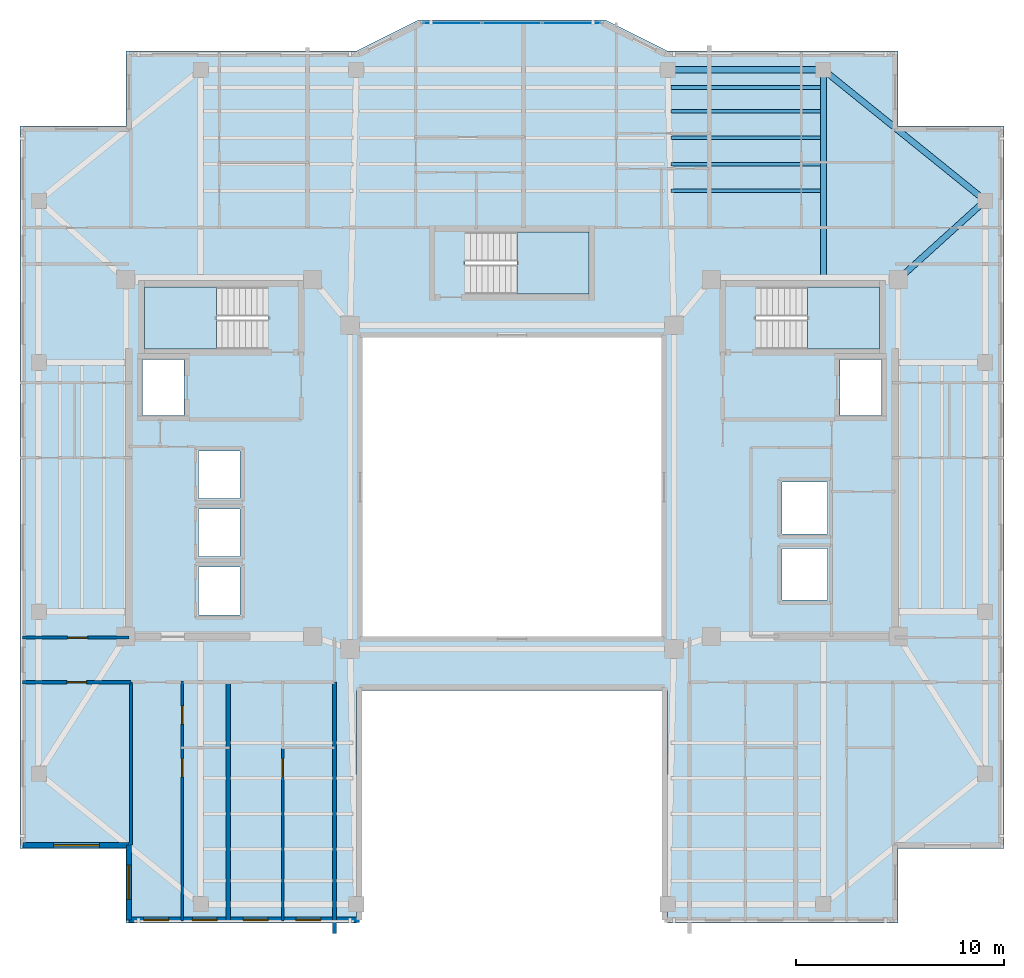
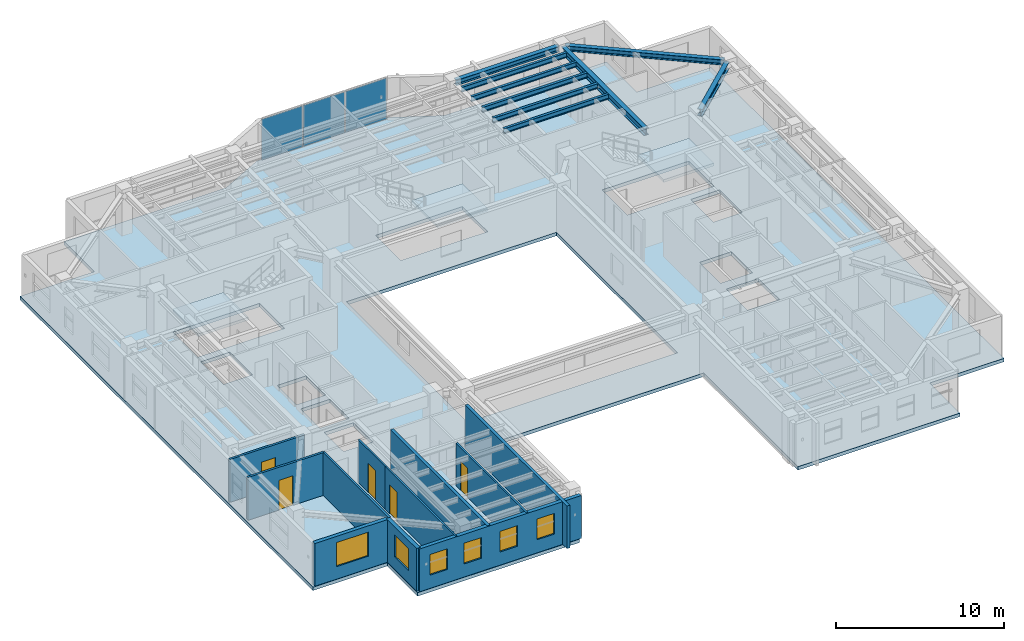
# One storey, part 3 of 12: 11 walls, 9 beams, 6 windows, 5 doors, 4 slabs, 3 plates, 11 openings, 4 elements without a shape of their own.
"""IFC4 building model written with IfcOpenShell, lengths in metres."""

from ifc_helpers import new_model, si_unit, direction, frame, frame_2d, origin, origin_2d, place, context, subcontext, project, spatial, polyline, rectangle, i_section, outline, extrude, material, layer, layer_set, material_profile, profile_set, type_object, element, fill, aggregate, save


model = new_model("IFC4")

# Units and contexts
model_context = context("Model", 3, precision=1e-05, world=origin(), true_north=direction((0.0, 1.0)))
body_context = subcontext(model_context, "Body", "Model", "MODEL_VIEW")
ifc_project = project(units=[si_unit("LENGTHUNIT", "METRE"), si_unit("AREAUNIT", "SQUARE_METRE"), si_unit("VOLUMEUNIT", "CUBIC_METRE"), si_unit("PLANEANGLEUNIT", "RADIAN"), si_unit("MASSUNIT", "GRAM", prefix="KILO")], contexts=[model_context])

# Site, building, storey
site_placement = place(None, origin())
site = spatial("IfcSite", under=ifc_project, at=site_placement, CompositionType="ELEMENT")
building_placement = place(site_placement, origin())
building = spatial("IfcBuilding", under=site, at=building_placement, Name="Tarnavaz Court Tower", CompositionType="ELEMENT")
storey_placement = place(building_placement, frame((0.0, 0.0, 210.35009765625)))
storey = spatial("IfcBuildingStorey", under=building, at=storey_placement, Name="L57", CompositionType="ELEMENT", Elevation=210.35009765625)

# Beams
ifc_material_1 = material(Name="Steel S355", Category="steel")
ifc_material_profile_1 = material_profile(ifc_material_1, i_section(OverallWidth=0.300048828125, OverallDepth=0.5, WebThickness=0.014404296875, FlangeThickness=0.028076171875, FilletRadius=0.027099609375, at=origin_2d()), Name="HEB 500")
ifc_profile_set_1 = profile_set([ifc_material_profile_1], Name="Steel S355")
beam_type_1 = type_object("IfcBeamType", Name="BM-G-HEB500", PredefinedType="USERDEFINED", material=ifc_profile_set_1)
beam_1_placement = place(storey_placement, frame((15.0, 10.0400390625, 2.849853515625), z_axis=(0.0, 1.0, 0.0), x_axis=(-1.0, 0.0, 0.0)))
element("IfcBeam", 1, at=beam_1_placement, inside=storey, type_object=beam_type_1, Name="L57 Beam RG-04", ObjectType="GIRDER", PredefinedType="USERDEFINED", context=body_context, shape_type="SweptSolid", body=[
    extrude(i_section(OverallWidth=0.300048828125, OverallDepth=0.5, WebThickness=0.014404296875, FlangeThickness=0.028076171875, FilletRadius=0.027099609375, at=origin_2d()), origin(), (0.0, 0.0, 1.0), 9.83984375),
])
beam_2_placement = place(storey_placement, frame((18.76318359375, 10.147705078125, 2.849853515625), z_axis=(0.741555708494, 0.670891296113, 0.0), x_axis=(-0.670891296113, 0.741555708494, 0.0)))
element("IfcBeam", 2, at=beam_2_placement, inside=storey, type_object=beam_type_1, Name="L57 Beam RG-12", ObjectType="GIRDER", PredefinedType="USERDEFINED", context=body_context, shape_type="SweptSolid", body=[
    extrude(i_section(OverallWidth=0.300048828125, OverallDepth=0.5, WebThickness=0.014404296875, FlangeThickness=0.028076171875, FilletRadius=0.027099609375, at=origin_2d()), origin(), (0.0, 0.0, 1.0), 5.223876953125),
])
ifc_material_profile_2 = material_profile(ifc_material_1, i_section(OverallWidth=0.169921875, OverallDepth=0.360107421875, WebThickness=0.008056640625, FlangeThickness=0.0126953125, FilletRadius=0.01806640625, at=origin_2d()), Name="IPE 360")
ifc_profile_set_2 = profile_set([ifc_material_profile_2], Name="Steel S355")
beam_type_2 = type_object("IfcBeamType", Name="BM-J-IPE360", PredefinedType="JOIST", material=ifc_profile_set_2)
for number, where, z_axis, x_axis, name in (
    (3, (7.64990234375, 14.278076171875, 2.919921875), (1.0, 0.0, 0.0), (0.0, 1.0, 0.0), "L57 Beam JN1-3"),
    (4, (7.64990234375, 15.555908203125, 2.919921875), (1.0, 0.0, 0.0), (0.0, 1.0, 0.0), "L57 Beam JN2-3"),
    (5, (7.64990234375, 16.833984375, 2.919921875), (1.0, 0.0, 0.0), (0.0, 1.0, 0.0), "L57 Beam JN3-3"),
    (6, (7.64990234375, 18.112060546875, 2.919921875), (1.0, 0.0, 0.0), (0.0, 1.0, 0.0), "L57 Beam JN4-3"),
    (7, (7.64990234375, 19.248046875, 2.919921875), (1.0, 0.0, 0.0), (0.0, 1.0, 0.0), "L57 Beam JN5-3"),
):
    element("IfcBeam", number, at=place(storey_placement, frame(where, z_axis=z_axis, x_axis=x_axis)), inside=storey, type_object=beam_type_2, Name=name, PredefinedType="JOIST", context=body_context, shape_type="SweptSolid", body=[
        extrude(i_section(OverallWidth=0.169921875, OverallDepth=0.360107421875, WebThickness=0.008056640625, FlangeThickness=0.0126953125, FilletRadius=0.01806640625, at=origin_2d()), origin(), (0.0, 0.0, 1.0), 7.2001953125),
    ])
ifc_material_profile_3 = material_profile(ifc_material_1, i_section(OverallWidth=0.300048828125, OverallDepth=0.389892578125, WebThickness=0.010986328125, FlangeThickness=0.01904296875, FilletRadius=0.027099609375, at=origin_2d()), Name="HEA 400")
ifc_profile_set_3 = profile_set([ifc_material_profile_3], Name="Steel S355")
beam_type_3 = type_object("IfcBeamType", Name="BM-SP-HEA400", PredefinedType="BEAM", material=ifc_profile_set_3)
beam_3_placement = place(storey_placement, frame((7.719970703125, 20.10009765625, 2.90478515625), z_axis=(1.0, 0.0, 0.0), x_axis=(0.0, 1.0, 0.0)))
element("IfcBeam", 8, at=beam_3_placement, inside=storey, type_object=beam_type_3, Name="L57 Beam PR-PN-3-PN-4", PredefinedType="BEAM", context=body_context, shape_type="SweptSolid", body=[
    extrude(i_section(OverallWidth=0.300048828125, OverallDepth=0.389892578125, WebThickness=0.010986328125, FlangeThickness=0.01904296875, FilletRadius=0.027099609375, at=origin_2d()), origin(), (0.0, 0.0, 1.0), 7.06005859375),
])
beam_4_placement = place(storey_placement, frame((15.171142578125, 19.9619140625, 2.90478515625), z_axis=(0.777935913531, -0.628343627674, 0.0), x_axis=(0.628343627674, 0.777935913531, 0.0)))
element("IfcBeam", 9, at=beam_4_placement, inside=storey, type_object=beam_type_3, Name="L57 Beam PR-PN-4-PE-4", PredefinedType="BEAM", context=body_context, shape_type="SweptSolid", body=[
    extrude(i_section(OverallWidth=0.300048828125, OverallDepth=0.389892578125, WebThickness=0.010986328125, FlangeThickness=0.01904296875, FilletRadius=0.027099609375, at=origin_2d()), origin(), (0.0, 0.0, 1.0), 9.586669921875),
])

# Curtain wall, plates
ifc_material_2 = material(Name="Anodised Aluminium 6063-T6 and Solar Low-E Glazing", Category="aluminium")
ifc_layer_1 = layer(ifc_material_2, 0.159912109375)
ifc_layer_set_1 = layer_set([ifc_layer_1], Name="Anodised Aluminium 6063-T6 and Solar Low-E Glazing")
curtain_wall_type = type_object("IfcCurtainWallType", Name="CW-SYS-03", PredefinedType="NOTDEFINED", material=ifc_layer_set_1)
curtain_wall_placement = place(storey_placement, origin())
curtain_wall = element("IfcCurtainWall", 10, at=curtain_wall_placement, inside=storey, type_object=curtain_wall_type, Name="L57 Iwan Prow Curtain Wall 7", PredefinedType="NOTDEFINED")
ifc_material_3 = material(Name="Double-Glazed Solar Low-E Glass", Category="glass")
ifc_layer_2 = layer(ifc_material_3, 0.028076171875)
ifc_layer_set_2 = layer_set([ifc_layer_2], Name="Double-Glazed Solar Low-E Glass")
plate_type = type_object("IfcPlateType", Name="CW-PAN-GLZ28", PredefinedType="CURTAIN_PANEL", material=ifc_layer_set_2)
plate_1_placement = place(storey_placement, frame((-2.88134765625, 22.35009765625, 0.06494140625), z_axis=(0.0, 0.0, 1.0), x_axis=(1.0, 0.0, 0.0)))
plate_1 = element("IfcPlate", 11, at=plate_1_placement, type_object=plate_type, Name="CW panel 1.1", PredefinedType="CURTAIN_PANEL", context=body_context, shape_type="SweptSolid", body=[
    extrude(rectangle(XDim=2.78759765625, YDim=0.028076171875, at=origin_2d()), origin(), (0.0, 0.0, 1.0), 2.969970703125),
])
plate_2_placement = place(storey_placement, frame((0.0, 22.35009765625, 0.06494140625), z_axis=(0.0, 0.0, 1.0), x_axis=(1.0, 0.0, 0.0)))
plate_2 = element("IfcPlate", 12, at=plate_2_placement, type_object=plate_type, Name="CW panel 2.1", PredefinedType="CURTAIN_PANEL", context=body_context, shape_type="SweptSolid", body=[
    extrude(rectangle(XDim=2.824951171875, YDim=0.028076171875, at=origin_2d()), origin(), (0.0, 0.0, 1.0), 2.969970703125),
])
plate_3_placement = place(storey_placement, frame((2.88134765625, 22.35009765625, 0.06494140625), z_axis=(0.0, 0.0, 1.0), x_axis=(1.0, 0.0, 0.0)))
plate_3 = element("IfcPlate", 13, at=plate_3_placement, type_object=plate_type, Name="CW panel 3.1", PredefinedType="CURTAIN_PANEL", context=body_context, shape_type="SweptSolid", body=[
    extrude(rectangle(XDim=2.78759765625, YDim=0.028076171875, at=origin_2d()), origin(), (0.0, 0.0, 1.0), 2.969970703125),
])
aggregate(curtain_wall, [plate_1, plate_2, plate_3])

# Stair, slab
ifc_material_4 = material(Name="Concrete C40/50", Category="concrete")
stair_type = type_object("IfcStairType", Name="ST-TWR-20R", PredefinedType="HALF_TURN_STAIR", material=ifc_material_4)
stair_1_placement = place(storey_placement, origin())
stair_1 = element("IfcStair", 14, at=stair_1_placement, inside=storey, type_object=stair_type, Name="L57 West Core Pressurized Exit Stair ST-W1", PredefinedType="HALF_TURN_STAIR")
ifc_layer_3 = layer(ifc_material_4, 0.199951171875)
ifc_layer_set_3 = layer_set([ifc_layer_3], Name="Concrete C40/50")
slab_type_1 = type_object("IfcSlabType", Name="SL-LAND-200", PredefinedType="LANDING", material=ifc_layer_set_3)
slab_1_placement = place(storey_placement, frame((0.0, 0.0, 1.474853515625)))
slab_1 = element("IfcSlab", 15, at=slab_1_placement, type_object=slab_type_1, Name="ST-W1 landing 1", PredefinedType="LANDING", context=body_context, shape_type="SweptSolid", body=[
    extrude(outline(polyline([(-14.239990234375, 9.639892578125), (-17.699951171875, 9.639892578125), (-17.699951171875, 6.64990234375), (-14.239990234375, 6.64990234375), (-14.239990234375, 9.639892578125)])), origin(), (0.0, 0.0, 1.0), 0.199951171875),
])
aggregate(stair_1, [slab_1])

stair_2_placement = place(storey_placement, origin())
stair_2 = element("IfcStair", 16, at=stair_2_placement, inside=storey, type_object=stair_type, Name="L57 East Core Pressurized Exit Stair ST-E1", PredefinedType="HALF_TURN_STAIR")
slab_2_placement = place(storey_placement, frame((0.0, 0.0, 1.474853515625)))
slab_2 = element("IfcSlab", 17, at=slab_2_placement, type_object=slab_type_1, Name="ST-E1 landing 1", PredefinedType="LANDING", context=body_context, shape_type="SweptSolid", body=[
    extrude(outline(polyline([(14.239990234375, 6.64990234375), (17.699951171875, 6.64990234375), (17.699951171875, 9.639892578125), (14.239990234375, 9.639892578125), (14.239990234375, 6.64990234375)])), origin(), (0.0, 0.0, 1.0), 0.199951171875),
])
aggregate(stair_2, [slab_2])

stair_3_placement = place(storey_placement, origin())
stair_3 = element("IfcStair", 18, at=stair_3_placement, inside=storey, type_object=stair_type, Name="L57 North Ring Pressurized Exit Stair ST-N1", PredefinedType="HALF_TURN_STAIR")
slab_3_placement = place(storey_placement, frame((0.0, 0.0, 1.474853515625)))
slab_3 = element("IfcSlab", 19, at=slab_3_placement, type_object=slab_type_1, Name="ST-N1 landing 1", PredefinedType="LANDING", context=body_context, shape_type="SweptSolid", body=[
    extrude(outline(polyline([(0.239990234375, 9.300048828125), (3.699951171875, 9.300048828125), (3.699951171875, 12.2900390625), (0.239990234375, 12.2900390625), (0.239990234375, 9.300048828125)])), origin(), (0.0, 0.0, 1.0), 0.199951171875),
])
aggregate(stair_3, [slab_3])

# Slab
ifc_layer_4 = layer(ifc_material_4, 0.25)
ifc_layer_set_4 = layer_set([ifc_layer_4], Name="Concrete C40/50")
slab_type_2 = type_object("IfcSlabType", Name="SL-RES-250", PredefinedType="FLOOR", material=ifc_layer_set_4)
slab_4_placement = place(storey_placement, frame((0.0, 0.0, -0.25)))
element("IfcSlab", 20, at=slab_4_placement, inside=storey, type_object=slab_type_2, Name="L57 Structural Floor Slab", PredefinedType="FLOOR", context=body_context, shape_type="SweptSolid", body=[
    extrude(outline(polyline([(-18.60009765625, -21.0), (-7.5, -21.0), (-7.5, -9.800048828125), (7.5, -9.800048828125), (7.5, -21.0), (18.60009765625, -21.0), (18.60009765625, -17.39990234375), (23.699951171875, -17.39990234375), (23.699951171875, 17.39990234375), (18.60009765625, 17.39990234375), (18.60009765625, 21.0), (7.5, 21.0), (4.5, 22.5), (-4.5, 22.5), (-7.5, 21.0), (-18.60009765625, 21.0), (-18.60009765625, 17.39990234375), (-23.699951171875, 17.39990234375), (-23.699951171875, -17.39990234375), (-18.60009765625, -17.39990234375), (-18.60009765625, -21.0)]), holes=[polyline([(-7.199951171875, -7.199951171875), (7.199951171875, -7.199951171875), (7.199951171875, 7.199951171875), (-7.199951171875, 7.199951171875), (-7.199951171875, -7.199951171875)]), polyline([(-11.7451171875, 9.639892578125), (-17.699951171875, 9.639892578125), (-17.699951171875, 6.64990234375), (-11.7451171875, 6.64990234375), (-11.7451171875, 9.639892578125)]), polyline([(11.7451171875, 6.64990234375), (17.699951171875, 6.64990234375), (17.699951171875, 9.639892578125), (11.7451171875, 9.639892578125), (11.7451171875, 6.64990234375)]), polyline([(-2.2548828125, 9.300048828125), (3.699951171875, 9.300048828125), (3.699951171875, 12.2900390625), (-2.2548828125, 12.2900390625), (-2.2548828125, 9.300048828125)]), polyline([(-17.800048828125, 3.449951171875), (-15.800048828125, 3.449951171875), (-15.800048828125, 6.14990234375), (-17.800048828125, 6.14990234375), (-17.800048828125, 3.449951171875)]), polyline([(-15.10009765625, -6.14990234375), (-13.10009765625, -6.14990234375), (-13.10009765625, -3.85009765625), (-15.10009765625, -3.85009765625), (-15.10009765625, -6.14990234375)]), polyline([(-15.10009765625, -3.35009765625), (-13.10009765625, -3.35009765625), (-13.10009765625, -1.050048828125), (-15.10009765625, -1.050048828125), (-15.10009765625, -3.35009765625)]), polyline([(-15.10009765625, -0.550048828125), (-13.10009765625, -0.550048828125), (-13.10009765625, 1.75), (-15.10009765625, 1.75), (-15.10009765625, -0.550048828125)]), polyline([(15.800048828125, 3.449951171875), (17.800048828125, 3.449951171875), (17.800048828125, 6.14990234375), (15.800048828125, 6.14990234375), (15.800048828125, 3.449951171875)]), polyline([(13.0, -5.449951171875), (15.199951171875, -5.449951171875), (15.199951171875, -2.949951171875), (13.0, -2.949951171875), (13.0, -5.449951171875)]), polyline([(13.0, -2.25), (15.199951171875, -2.25), (15.199951171875, 0.25), (13.0, 0.25), (13.0, -2.25)])]), origin(), (0.0, 0.0, 1.0), 0.25),
])

# Wall, opening, window
ifc_material_5 = material(Name="Precast Concrete C40/50", Category="concrete")
ifc_layer_5 = layer(ifc_material_5, 0.260009765625)
ifc_layer_set_5 = layer_set([ifc_layer_5], Name="Precast Concrete C40/50")
wall_type_1 = type_object("IfcWallType", Name="WL-EXT-260", PredefinedType="SOLIDWALL", material=ifc_layer_set_5)
wall_1_placement = place(storey_placement, frame((-18.449951171875, -17.25, 0.0), z_axis=(0.0, 0.0, 1.0), x_axis=(-1.0, 0.0, 0.0)))
wall_1 = element("IfcWall", 21, at=wall_1_placement, inside=storey, type_object=wall_type_1, Name="L57 Exterior Terracotta Facade Wall 01", PredefinedType="SOLIDWALL", context=body_context, shape_type="SweptSolid", body=[
    extrude(rectangle(XDim=5.10009765625, YDim=0.260009765625, at=frame_2d((2.550048828125, 0.0))), origin(), (0.0, 0.0, 1.0), 3.099853515625),
])
opening_1_placement = place(wall_1_placement, frame((1.425048828125, 0.0, 0.89990234375)))
opening_1 = element("IfcOpeningElement", 22, at=opening_1_placement, cuts=wall_1, Name="Opening W07", PredefinedType="OPENING", context=body_context, shape_type="SweptSolid", body=[
    extrude(rectangle(XDim=2.199951171875, YDim=1.75, at=frame_2d((1.10009765625, 0.875))), frame((0.0, 0.139892578125, 0.0), z_axis=(0.0, -1.0, 0.0), x_axis=(1.0, 0.0, 0.0)), (0.0, 0.0, 1.0), 0.280029296875),
])
window_type_1 = type_object("IfcWindowType", Name="WN-APT-2200", PartitioningType="TRIPLE_PANEL_VERTICAL", PredefinedType="WINDOW", material=ifc_material_3)
window_1_placement = place(opening_1_placement, origin())
window_1 = element("IfcWindow", 23, at=window_1_placement, inside=storey, type_object=window_type_1, Name="L57 South-West Corner Reading Room Window", OverallHeight=1.75, OverallWidth=2.199951171875, PartitioningType="SINGLE_PANEL", PredefinedType="WINDOW", context=body_context, shape_type="SweptSolid", body=[
    extrude(rectangle(XDim=2.199951171875, YDim=1.75, at=frame_2d((1.10009765625, 0.875))), frame((0.0, 0.030029296875, 0.0), z_axis=(0.0, -1.0, 0.0), x_axis=(1.0, 0.0, 0.0)), (0.0, 0.0, 1.0), 0.06005859375),
])
fill(opening_1, window_1)

# Wall, openings, windows
wall_2_placement = place(storey_placement, frame((-7.35009765625, -20.85009765625, 0.0), z_axis=(0.0, 0.0, 1.0), x_axis=(-1.0, 0.0, 0.0)))
wall_2 = element("IfcWall", 24, at=wall_2_placement, inside=storey, type_object=wall_type_1, Name="L57 Exterior Terracotta Facade Wall 19", PredefinedType="SOLIDWALL", context=body_context, shape_type="SweptSolid", body=[
    extrude(rectangle(XDim=11.099853515625, YDim=0.260009765625, at=frame_2d((5.5498046875, 0.0))), origin(), (0.0, 0.0, 1.0), 3.099853515625),
])
opening_2_placement = place(wall_2_placement, frame((1.861083984375, 0.0, 0.949951171875)))
opening_2 = element("IfcOpeningElement", 25, at=opening_2_placement, cuts=wall_2, Name="Opening W05", PredefinedType="OPENING", context=body_context, shape_type="SweptSolid", body=[
    extrude(rectangle(XDim=1.199951171875, YDim=1.5, at=frame_2d((0.60009765625, 0.75))), frame((0.0, 0.139892578125, 0.0), z_axis=(0.0, -1.0, 0.0), x_axis=(1.0, 0.0, 0.0)), (0.0, 0.0, 1.0), 0.280029296875),
])
opening_3_placement = place(wall_2_placement, frame((4.3974609375, 0.0, 0.949951171875)))
opening_3 = element("IfcOpeningElement", 26, at=opening_3_placement, cuts=wall_2, Name="Opening W05", PredefinedType="OPENING", context=body_context, shape_type="SweptSolid", body=[
    extrude(rectangle(XDim=1.199951171875, YDim=1.5, at=frame_2d((0.60009765625, 0.75))), frame((0.0, 0.139892578125, 0.0), z_axis=(0.0, -1.0, 0.0), x_axis=(1.0, 0.0, 0.0)), (0.0, 0.0, 1.0), 0.280029296875),
])
opening_4_placement = place(wall_2_placement, frame((6.85009765625, 0.0, 0.949951171875)))
opening_4 = element("IfcOpeningElement", 27, at=opening_4_placement, cuts=wall_2, Name="Opening W05", PredefinedType="OPENING", context=body_context, shape_type="SweptSolid", body=[
    extrude(rectangle(XDim=1.199951171875, YDim=1.5, at=frame_2d((0.60009765625, 0.75))), frame((0.0, 0.139892578125, 0.0), z_axis=(0.0, -1.0, 0.0), x_axis=(1.0, 0.0, 0.0)), (0.0, 0.0, 1.0), 0.280029296875),
])
opening_5_placement = place(wall_2_placement, frame((9.194091796875, 0.0, 0.949951171875)))
opening_5 = element("IfcOpeningElement", 28, at=opening_5_placement, cuts=wall_2, Name="Opening W05", PredefinedType="OPENING", context=body_context, shape_type="SweptSolid", body=[
    extrude(rectangle(XDim=1.199951171875, YDim=1.5, at=frame_2d((0.60009765625, 0.75))), frame((0.0, 0.139892578125, 0.0), z_axis=(0.0, -1.0, 0.0), x_axis=(1.0, 0.0, 0.0)), (0.0, 0.0, 1.0), 0.280029296875),
])
window_type_2 = type_object("IfcWindowType", Name="WN-APT-1200", PartitioningType="SINGLE_PANEL", PredefinedType="WINDOW", material=ifc_material_3)
window_2_placement = place(opening_2_placement, origin())
window_2 = element("IfcWindow", 29, at=window_2_placement, inside=storey, type_object=window_type_2, Name="L57 Flat 06 Kitchen Window", OverallHeight=1.5, OverallWidth=1.199951171875, PartitioningType="SINGLE_PANEL", PredefinedType="WINDOW", context=body_context, shape_type="SweptSolid", body=[
    extrude(rectangle(XDim=1.199951171875, YDim=1.5, at=frame_2d((0.60009765625, 0.75))), frame((0.0, 0.030029296875, 0.0), z_axis=(0.0, -1.0, 0.0), x_axis=(1.0, 0.0, 0.0)), (0.0, 0.0, 1.0), 0.06005859375),
])
fill(opening_2, window_2)
window_3_placement = place(opening_3_placement, origin())
window_3 = element("IfcWindow", 30, at=window_3_placement, inside=storey, type_object=window_type_2, Name="L57 Flat 06 Studio Living and Sleeping Room Window", OverallHeight=1.5, OverallWidth=1.199951171875, PartitioningType="SINGLE_PANEL", PredefinedType="WINDOW", context=body_context, shape_type="SweptSolid", body=[
    extrude(rectangle(XDim=1.199951171875, YDim=1.5, at=frame_2d((0.60009765625, 0.75))), frame((0.0, 0.030029296875, 0.0), z_axis=(0.0, -1.0, 0.0), x_axis=(1.0, 0.0, 0.0)), (0.0, 0.0, 1.0), 0.06005859375),
])
fill(opening_3, window_3)
window_4_placement = place(opening_4_placement, origin())
window_4 = element("IfcWindow", 31, at=window_4_placement, inside=storey, type_object=window_type_2, Name="L57 Flat 05 Kitchen Window", OverallHeight=1.5, OverallWidth=1.199951171875, PartitioningType="SINGLE_PANEL", PredefinedType="WINDOW", context=body_context, shape_type="SweptSolid", body=[
    extrude(rectangle(XDim=1.199951171875, YDim=1.5, at=frame_2d((0.60009765625, 0.75))), frame((0.0, 0.030029296875, 0.0), z_axis=(0.0, -1.0, 0.0), x_axis=(1.0, 0.0, 0.0)), (0.0, 0.0, 1.0), 0.06005859375),
])
fill(opening_4, window_4)
window_5_placement = place(opening_5_placement, origin())
window_5 = element("IfcWindow", 32, at=window_5_placement, inside=storey, type_object=window_type_2, Name="L57 Flat 05 Studio Living and Sleeping Room Window", OverallHeight=1.5, OverallWidth=1.199951171875, PartitioningType="SINGLE_PANEL", PredefinedType="WINDOW", context=body_context, shape_type="SweptSolid", body=[
    extrude(rectangle(XDim=1.199951171875, YDim=1.5, at=frame_2d((0.60009765625, 0.75))), frame((0.0, 0.030029296875, 0.0), z_axis=(0.0, -1.0, 0.0), x_axis=(1.0, 0.0, 0.0)), (0.0, 0.0, 1.0), 0.06005859375),
])
fill(opening_5, window_5)

# Wall, opening, window
wall_3_placement = place(storey_placement, frame((-18.449951171875, -20.85009765625, 0.0), z_axis=(0.0, 0.0, 1.0), x_axis=(0.0, 1.0, 0.0)))
wall_3 = element("IfcWall", 33, at=wall_3_placement, inside=storey, type_object=wall_type_1, Name="L57 Exterior Terracotta Facade Wall 20", PredefinedType="SOLIDWALL", context=body_context, shape_type="SweptSolid", body=[
    extrude(rectangle(XDim=3.60009765625, YDim=0.260009765625, at=frame_2d((1.800048828125, 0.0))), origin(), (0.0, 0.0, 1.0), 3.099853515625),
])
opening_6_placement = place(wall_3_placement, frame((0.992431640625, 0.0, 0.89990234375)))
opening_6 = element("IfcOpeningElement", 34, at=opening_6_placement, cuts=wall_3, Name="Opening W02", PredefinedType="OPENING", context=body_context, shape_type="SweptSolid", body=[
    extrude(rectangle(XDim=1.64990234375, YDim=1.60009765625, at=frame_2d((0.824951171875, 0.800048828125))), frame((0.0, 0.139892578125, 0.0), z_axis=(0.0, -1.0, 0.0), x_axis=(1.0, 0.0, 0.0)), (0.0, 0.0, 1.0), 0.280029296875),
])
window_type_3 = type_object("IfcWindowType", Name="WN-APT-1650", PartitioningType="DOUBLE_PANEL_VERTICAL", PredefinedType="WINDOW", material=ifc_material_3)
window_6_placement = place(opening_6_placement, origin())
window_6 = element("IfcWindow", 35, at=window_6_placement, inside=storey, type_object=window_type_3, Name="L57 Flat 05 Studio Living and Sleeping Room Window", OverallHeight=1.60009765625, OverallWidth=1.64990234375, PartitioningType="SINGLE_PANEL", PredefinedType="WINDOW", context=body_context, shape_type="SweptSolid", body=[
    extrude(rectangle(XDim=1.64990234375, YDim=1.60009765625, at=frame_2d((0.824951171875, 0.800048828125))), frame((0.0, 0.030029296875, 0.0), z_axis=(0.0, -1.0, 0.0), x_axis=(1.0, 0.0, 0.0)), (0.0, 0.0, 1.0), 0.06005859375),
])
fill(opening_6, window_6)

# Wall, opening, door
ifc_material_6 = material(Name="Gypsum Fire-Board on Acoustic Metal Stud", Category="masonry")
ifc_layer_6 = layer(ifc_material_6, 0.14990234375)
ifc_layer_set_6 = layer_set([ifc_layer_6], Name="Gypsum Fire-Board on Acoustic Metal Stud")
wall_type_2 = type_object("IfcWallType", Name="WL-FIRE-150", PredefinedType="PARTITIONING", material=ifc_layer_set_6)
wall_4_placement = place(storey_placement, frame((-23.580078125, -7.25, 0.0), z_axis=(0.0, 0.0, 1.0), x_axis=(1.0, 0.0, 0.0)))
wall_4 = element("IfcWall", 36, at=wall_4_placement, inside=storey, type_object=wall_type_2, Name="L57 Interior Partition 099", PredefinedType="PARTITIONING", context=body_context, shape_type="SweptSolid", body=[
    extrude(rectangle(XDim=5.130126953125, YDim=0.14990234375, at=frame_2d((2.56494140625, 0.0))), origin(), (0.0, 0.0, 1.0), 3.099853515625),
])
opening_7_placement = place(wall_4_placement, frame((2.179931640625, 0.0, 0.0)))
opening_7 = element("IfcOpeningElement", 37, at=opening_7_placement, cuts=wall_4, Name="Opening D06", PredefinedType="OPENING", context=body_context, shape_type="SweptSolid", body=[
    extrude(rectangle(XDim=0.9599609375, YDim=2.14990234375, at=frame_2d((0.47998046875, 1.074951171875))), frame((0.0, 0.0849609375, 0.0), z_axis=(0.0, -1.0, 0.0), x_axis=(1.0, 0.0, 0.0)), (0.0, 0.0, 1.0), 0.169921875),
])
ifc_material_7 = material(Name="Fire-Rated Hardwood Timber Core", Category="wood")
door_type_1 = type_object("IfcDoorType", Name="DR-FD60-950", OperationType="NOTDEFINED", PredefinedType="DOOR", material=ifc_material_7)
door_1_placement = place(opening_7_placement, origin())
door_1 = element("IfcDoor", 38, at=door_1_placement, inside=storey, type_object=door_type_1, Name="L57 Flat 09 Entrance Door", OperationType="SINGLE_SWING_RIGHT", OverallHeight=2.14990234375, OverallWidth=0.9599609375, PredefinedType="DOOR", context=body_context, shape_type="SweptSolid", body=[
    extrude(rectangle(XDim=0.9599609375, YDim=2.14990234375, at=frame_2d((0.47998046875, 1.074951171875))), frame((0.0, 0.02490234375, 0.0), z_axis=(0.0, -1.0, 0.0), x_axis=(1.0, 0.0, 0.0)), (0.0, 0.0, 1.0), 0.050048828125),
])
fill(opening_7, door_1)

wall_5_placement = place(storey_placement, frame((-23.580078125, -9.39990234375, 0.0), z_axis=(0.0, 0.0, 1.0), x_axis=(1.0, 0.0, 0.0)))
wall_5 = element("IfcWall", 39, at=wall_5_placement, inside=storey, type_object=wall_type_2, Name="L57 Interior Partition 109", PredefinedType="PARTITIONING", context=body_context, shape_type="SweptSolid", body=[
    extrude(rectangle(XDim=5.22998046875, YDim=0.14990234375, at=frame_2d((2.614990234375, 0.0))), origin(), (0.0, 0.0, 1.0), 3.099853515625),
])
opening_8_placement = place(wall_5_placement, frame((2.139892578125, 0.0, 0.0)))
opening_8 = element("IfcOpeningElement", 40, at=opening_8_placement, cuts=wall_5, Name="Opening D13", PredefinedType="OPENING", context=body_context, shape_type="SweptSolid", body=[
    extrude(rectangle(XDim=0.949951171875, YDim=2.14990234375, at=frame_2d((0.47509765625, 1.074951171875))), frame((0.0, 0.0849609375, 0.0), z_axis=(0.0, -1.0, 0.0), x_axis=(1.0, 0.0, 0.0)), (0.0, 0.0, 1.0), 0.169921875),
])
ifc_material_8 = material(Name="Engineered Oak Timber", Category="wood")
door_type_2 = type_object("IfcDoorType", Name="DR-INT-950", OperationType="NOTDEFINED", PredefinedType="DOOR", material=ifc_material_8)
door_2_placement = place(opening_8_placement, origin())
door_2 = element("IfcDoor", 41, at=door_2_placement, inside=storey, type_object=door_type_2, Name="L57 SW Reading Room Door", OperationType="SINGLE_SWING_RIGHT", OverallHeight=2.14990234375, OverallWidth=0.949951171875, PredefinedType="DOOR", context=body_context, shape_type="SweptSolid", body=[
    extrude(rectangle(XDim=0.949951171875, YDim=2.14990234375, at=frame_2d((0.47509765625, 1.074951171875))), frame((0.0, 0.02490234375, 0.0), z_axis=(0.0, -1.0, 0.0), x_axis=(1.0, 0.0, 0.0)), (0.0, 0.0, 1.0), 0.050048828125),
])
fill(opening_8, door_2)

# Walls
ifc_material_9 = material(Name="Autoclaved Aerated Concrete Blockwork", Category="masonry")
ifc_layer_7 = layer(ifc_material_9, 0.199951171875)
ifc_layer_set_7 = layer_set([ifc_layer_7], Name="Autoclaved Aerated Concrete Blockwork")
wall_type_3 = type_object("IfcWallType", Name="WL-FIRE-200", PredefinedType="SOLIDWALL", material=ifc_layer_set_7)
wall_6_placement = place(storey_placement, frame((-13.669921875, -20.89990234375, 0.0), z_axis=(0.0, 0.0, 1.0), x_axis=(0.0, 1.0, 0.0)))
element("IfcWall", 42, at=wall_6_placement, inside=storey, type_object=wall_type_3, Name="L57 Party Wall 083", PredefinedType="SOLIDWALL", context=body_context, shape_type="SweptSolid", body=[
    extrude(rectangle(XDim=11.5, YDim=0.199951171875, at=frame_2d((5.75, 0.0))), origin(), (0.0, 0.0, 1.0), 3.099853515625),
])
wall_7_placement = place(storey_placement, frame((-8.550048828125, -21.50390625, 0.0), z_axis=(0.0, 0.0, 1.0), x_axis=(0.0, 1.0, 0.0)))
element("IfcWall", 43, at=wall_7_placement, inside=storey, type_object=wall_type_3, Name="L57 Party Wall 097", PredefinedType="SOLIDWALL", context=body_context, shape_type="SweptSolid", body=[
    extrude(rectangle(XDim=12.10400390625, YDim=0.199951171875, at=frame_2d((6.052001953125, 0.0))), origin(), (0.0, 0.0, 1.0), 3.099853515625),
])

# Wall, opening, door
ifc_material_10 = material(Name="Moisture-Resistant Gypsum Board Partition", Category="masonry")
ifc_layer_8 = layer(ifc_material_10, 0.1201171875)
ifc_layer_set_8 = layer_set([ifc_layer_8], Name="Moisture-Resistant Gypsum Board Partition")
wall_type_4 = type_object("IfcWallType", Name="WL-PART-120", PredefinedType="PARTITIONING", material=ifc_layer_set_8)
wall_8_placement = place(storey_placement, frame((-15.889892578125, -20.89990234375, 0.0), z_axis=(0.0, 0.0, 1.0), x_axis=(0.0, 1.0, 0.0)))
wall_8 = element("IfcWall", 44, at=wall_8_placement, inside=storey, type_object=wall_type_4, Name="L57 Interior Partition 084", PredefinedType="PARTITIONING", context=body_context, shape_type="SweptSolid", body=[
    extrude(rectangle(XDim=8.33984375, YDim=0.1201171875, at=frame_2d((4.169921875, 0.0))), origin(), (0.0, 0.0, 1.0), 3.099853515625),
])
opening_9_placement = place(wall_8_placement, frame((6.93994140625, 0.0, 0.0)))
opening_9 = element("IfcOpeningElement", 45, at=opening_9_placement, cuts=wall_8, Name="Opening D14", PredefinedType="OPENING", context=body_context, shape_type="SweptSolid", body=[
    extrude(rectangle(XDim=0.8798828125, YDim=2.10009765625, at=frame_2d((0.43994140625, 1.050048828125))), frame((0.0, 0.070068359375, 0.0), z_axis=(0.0, -1.0, 0.0), x_axis=(1.0, 0.0, 0.0)), (0.0, 0.0, 1.0), 0.14013671875),
])
door_type_3 = type_object("IfcDoorType", Name="DR-INT-900", OperationType="NOTDEFINED", PredefinedType="DOOR", material=ifc_material_8)
door_3_placement = place(opening_9_placement, origin())
door_3 = element("IfcDoor", 46, at=door_3_placement, inside=storey, type_object=door_type_3, Name="L57 Flat 05 Kitchen Door", OperationType="SINGLE_SWING_LEFT", OverallHeight=2.10009765625, OverallWidth=0.8798828125, PredefinedType="DOOR", context=body_context, shape_type="SweptSolid", body=[
    extrude(rectangle(XDim=0.8798828125, YDim=2.10009765625, at=frame_2d((0.43994140625, 1.050048828125))), frame((0.0, 0.02490234375, 0.0), z_axis=(0.0, -1.0, 0.0), x_axis=(1.0, 0.0, 0.0)), (0.0, 0.0, 1.0), 0.050048828125),
])
fill(opening_9, door_3)

wall_9_placement = place(storey_placement, frame((-15.889892578125, -12.56005859375, 0.0), z_axis=(0.0, 0.0, 1.0), x_axis=(0.0, 1.0, 0.0)))
wall_9 = element("IfcWall", 47, at=wall_9_placement, inside=storey, type_object=wall_type_4, Name="L57 Interior Partition 085", PredefinedType="PARTITIONING", context=body_context, shape_type="SweptSolid", body=[
    extrude(rectangle(XDim=3.219970703125, YDim=0.1201171875, at=frame_2d((1.60986328125, 0.0))), origin(), (0.0, 0.0, 1.0), 3.099853515625),
])
opening_10_placement = place(wall_9_placement, frame((1.139892578125, 0.0, 0.0)))
opening_10 = element("IfcOpeningElement", 48, at=opening_10_placement, cuts=wall_9, Name="Opening D14", PredefinedType="OPENING", context=body_context, shape_type="SweptSolid", body=[
    extrude(rectangle(XDim=0.8798828125, YDim=2.10009765625, at=frame_2d((0.43994140625, 1.050048828125))), frame((0.0, 0.070068359375, 0.0), z_axis=(0.0, -1.0, 0.0), x_axis=(1.0, 0.0, 0.0)), (0.0, 0.0, 1.0), 0.14013671875),
])
door_4_placement = place(opening_10_placement, origin())
door_4 = element("IfcDoor", 49, at=door_4_placement, inside=storey, type_object=door_type_3, Name="L57 Flat 05 Bathroom Door", OperationType="SINGLE_SWING_RIGHT", OverallHeight=2.10009765625, OverallWidth=0.8798828125, PredefinedType="DOOR", context=body_context, shape_type="SweptSolid", body=[
    extrude(rectangle(XDim=0.8798828125, YDim=2.10009765625, at=frame_2d((0.43994140625, 1.050048828125))), frame((0.0, 0.02490234375, 0.0), z_axis=(0.0, -1.0, 0.0), x_axis=(1.0, 0.0, 0.0)), (0.0, 0.0, 1.0), 0.050048828125),
])
fill(opening_10, door_4)

wall_10_placement = place(storey_placement, frame((-11.035888671875, -20.89990234375, 0.0), z_axis=(0.0, 0.0, 1.0), x_axis=(0.0, 1.0, 0.0)))
wall_10 = element("IfcWall", 50, at=wall_10_placement, inside=storey, type_object=wall_type_4, Name="L57 Interior Partition 087", PredefinedType="PARTITIONING", context=body_context, shape_type="SweptSolid", body=[
    extrude(rectangle(XDim=8.33984375, YDim=0.1201171875, at=frame_2d((4.169921875, 0.0))), origin(), (0.0, 0.0, 1.0), 3.099853515625),
])
opening_11_placement = place(wall_10_placement, frame((6.93994140625, 0.0, 0.0)))
opening_11 = element("IfcOpeningElement", 51, at=opening_11_placement, cuts=wall_10, Name="Opening D14", PredefinedType="OPENING", context=body_context, shape_type="SweptSolid", body=[
    extrude(rectangle(XDim=0.8798828125, YDim=2.10009765625, at=frame_2d((0.43994140625, 1.050048828125))), frame((0.0, 0.070068359375, 0.0), z_axis=(0.0, -1.0, 0.0), x_axis=(1.0, 0.0, 0.0)), (0.0, 0.0, 1.0), 0.14013671875),
])
door_5_placement = place(opening_11_placement, origin())
door_5 = element("IfcDoor", 52, at=door_5_placement, inside=storey, type_object=door_type_3, Name="L57 Flat 06 Kitchen Door", OperationType="SINGLE_SWING_RIGHT", OverallHeight=2.10009765625, OverallWidth=0.8798828125, PredefinedType="DOOR", context=body_context, shape_type="SweptSolid", body=[
    extrude(rectangle(XDim=0.8798828125, YDim=2.10009765625, at=frame_2d((0.43994140625, 1.050048828125))), frame((0.0, 0.02490234375, 0.0), z_axis=(0.0, -1.0, 0.0), x_axis=(1.0, 0.0, 0.0)), (0.0, 0.0, 1.0), 0.050048828125),
])
fill(opening_11, door_5)

# Wall
ifc_material_11 = material(Name="Gypsum Plasterboard Acoustic Partition", Category="masonry")
ifc_layer_9 = layer(ifc_material_11, 0.139892578125)
ifc_layer_set_9 = layer_set([ifc_layer_9], Name="Gypsum Plasterboard Acoustic Partition")
wall_type_5 = type_object("IfcWallType", Name="WL-PART-150", PredefinedType="PARTITIONING", material=ifc_layer_set_9)
wall_11_placement = place(storey_placement, frame((-18.35009765625, -17.25, 0.0), z_axis=(0.0, 0.0, 1.0), x_axis=(0.0, 1.0, 0.0)))
element("IfcWall", 53, at=wall_11_placement, inside=storey, type_object=wall_type_5, Name="L57 Interior Partition 103", PredefinedType="PARTITIONING", context=body_context, shape_type="SweptSolid", body=[
    extrude(rectangle(XDim=7.85009765625, YDim=0.139892578125, at=frame_2d((3.925048828125, 0.0))), origin(), (0.0, 0.0, 1.0), 3.099853515625),
])

save(model, "model.ifc")
